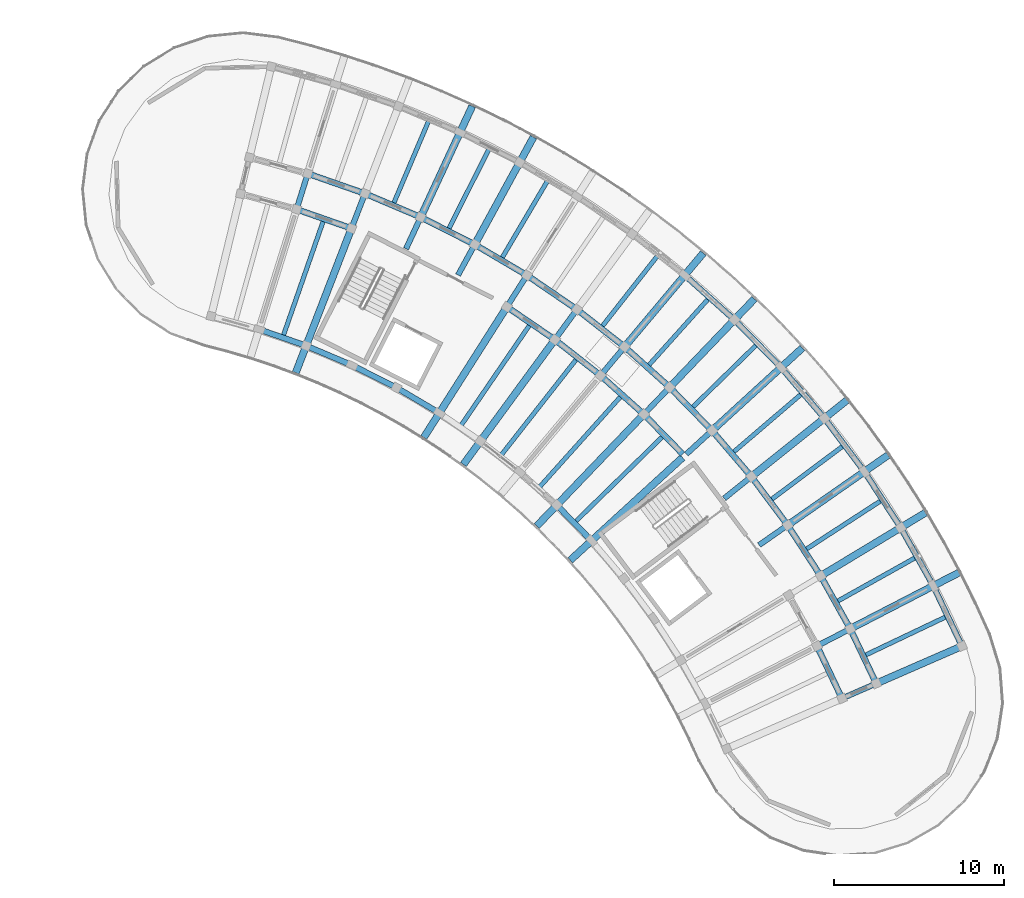
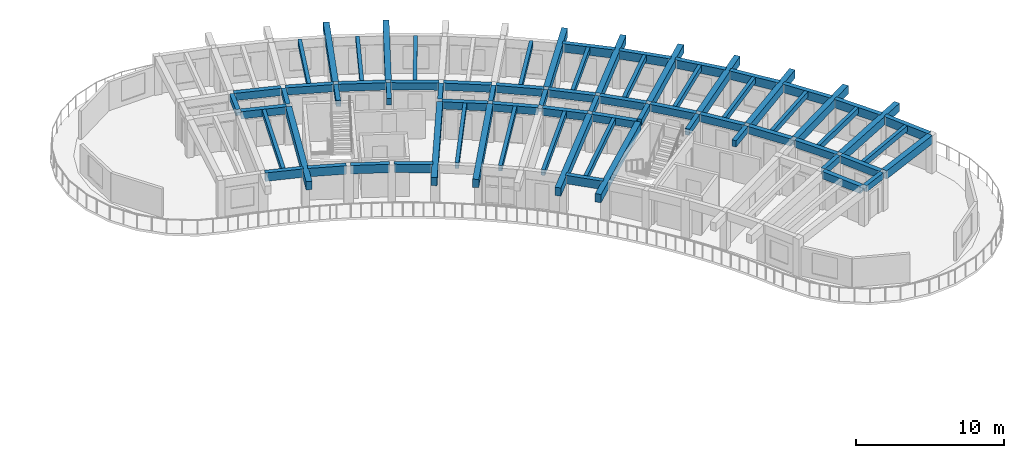
# One storey, part 10 of 41: 75 beams.
"""IFC4 building model written with IfcOpenShell, lengths in metres."""

import ifcopenshell
import ifcopenshell.guid

model = None  # the IFC model being written
_history = None  # IfcOwnerHistory: only IFC2X3 demands one
_inside = {}  # id of a spatial element -> (the spatial element, [elements in it])
_under = {}  # id of a project, library or spatial element -> (it, [spatial elements below it])
_declared = {}  # id of a project -> (the project, [libraries it declares])
_typed = {}  # id of a type object -> (the type object, [elements of that type])
_made_of = {}  # id of a material, layer set ... -> (it, [elements and type objects made of it])


def new_model(schema):
    """Start an empty IFC model of exactly this schema.

    Asked for "IFC4X3", IfcOpenShell would pick the latest addendum, in which some entities
    have other attributes; the version numbers below select the first issue.
    IFC2X3 requires an IfcOwnerHistory on every rooted entity: one is made here for all.
    """
    global model, _history
    if schema == "IFC4X3":
        model = ifcopenshell.file(schema_version=(4, 3, 0, 0))
    else:
        model = ifcopenshell.file(schema=schema)
    _inside.clear()
    _under.clear()
    _declared.clear()
    _typed.clear()
    _made_of.clear()
    _history = None
    if model.schema == "IFC2X3":
        org = make("IfcOrganization", Name="unknown")
        user = make(
            "IfcPersonAndOrganization",
            ThePerson=make("IfcPerson", FamilyName="unknown"),
            TheOrganization=org,
        )
        app = make(
            "IfcApplication",
            ApplicationDeveloper=org,
            Version="unknown",
            ApplicationFullName="unknown",
            ApplicationIdentifier="unknown",
        )
        _history = make(
            "IfcOwnerHistory",
            OwningUser=user,
            OwningApplication=app,
            ChangeAction="ADDED",
            CreationDate=0,
        )
    return model


def make(cls, **values):
    """One entity of the class cls with the attributes given. An attribute that is None is left unset."""
    return model.create_entity(
        cls, **{name: value for name, value in values.items() if value is not None}
    )


def rooted(cls, **values):
    """An entity with a GlobalId (a new one), such as an element, a storey or a relation."""
    return make(cls, GlobalId=ifcopenshell.guid.new(), OwnerHistory=_history, **values)


def si_unit(unit_type, name, prefix=None):
    """IfcSIUnit, for example si_unit("LENGTHUNIT", "METRE", prefix="MILLI")."""
    return make("IfcSIUnit", UnitType=unit_type, Prefix=prefix, Name=name)


def assignment(units):
    """IfcUnitAssignment: the units of a project."""
    return None if units is None else make("IfcUnitAssignment", Units=units)


def point(xyz):
    """IfcCartesianPoint."""
    return None if xyz is None else make("IfcCartesianPoint", Coordinates=xyz)


def direction(xyz):
    """IfcDirection."""
    return None if xyz is None else make("IfcDirection", DirectionRatios=xyz)


def frame(location, z_axis=None, x_axis=None):
    """IfcAxis2Placement3D, a coordinate frame: its origin and axes. An axis left out is left unset."""
    return make(
        "IfcAxis2Placement3D",
        Location=point(location),
        Axis=direction(z_axis),
        RefDirection=direction(x_axis),
    )


def frame_2d(location, x_axis=None):
    """IfcAxis2Placement2D, a coordinate frame in the plane: its origin and x axis."""
    return make(
        "IfcAxis2Placement2D", Location=point(location), RefDirection=direction(x_axis)
    )


def origin():
    """The frame at (0, 0, 0) with its axes left unset."""
    return frame((0.0, 0.0, 0.0))


def origin_2d():
    """The frame at (0, 0) in the plane with its x axis left unset."""
    return frame_2d((0.0, 0.0))


def place(relative_to, where):
    """IfcLocalPlacement: puts the frame where relative to a parent placement (None: the world)."""
    return make(
        "IfcLocalPlacement", PlacementRelTo=relative_to, RelativePlacement=where
    )


def context(
    kind, dimensions, precision=None, world=None, true_north=None, identifier=None
):
    """IfcGeometricRepresentationContext, for example the 3D "Model" context."""
    return make(
        "IfcGeometricRepresentationContext",
        ContextIdentifier=identifier,
        ContextType=kind,
        CoordinateSpaceDimension=dimensions,
        Precision=precision,
        WorldCoordinateSystem=world,
        TrueNorth=true_north,
    )


def subcontext(parent, identifier, kind, view, scale=None):
    """IfcGeometricRepresentationSubContext, for example "Body" below "Model"."""
    return make(
        "IfcGeometricRepresentationSubContext",
        ContextIdentifier=identifier,
        ContextType=kind,
        ParentContext=parent,
        TargetScale=scale,
        TargetView=view,
    )


def project(units=None, contexts=None):
    """IfcProject with its units and contexts."""
    return rooted(
        "IfcProject",
        Name="project",
        RepresentationContexts=contexts,
        UnitsInContext=assignment(units),
    )


def spatial(cls, under=None, at=None, **own):
    """A site, building, storey or space (cls), placed at a placement, below another one or the project."""
    s = rooted(cls, ObjectPlacement=at, **own)
    if under is not None:
        _under.setdefault(under.id(), (under, []))[1].append(s)
    return s


def profile(cls, at=None, kind="AREA", **sizes):
    """A parametric profile (cls). Its sizes go by their IFC names, for example OverallWidth=200.0."""
    return make(cls, ProfileType=kind, Position=at, **sizes)


def rectangle(**sizes):
    """IfcRectangleProfileDef."""
    return profile("IfcRectangleProfileDef", **sizes)


def extrude(swept, where, along, depth):
    """IfcExtrudedAreaSolid: the profile swept, set in the frame where, extruded along a direction by depth."""
    return make(
        "IfcExtrudedAreaSolid",
        SweptArea=swept,
        Position=where,
        ExtrudedDirection=direction(along),
        Depth=depth,
    )


def shape(context_of_items, identifier, shape_type, items):
    """IfcShapeRepresentation: the items that make up one representation, for example the "Body"."""
    return make(
        "IfcShapeRepresentation",
        ContextOfItems=context_of_items,
        RepresentationIdentifier=identifier,
        RepresentationType=shape_type,
        Items=items,
    )


def material(Name=None, Category=None):
    """IfcMaterial."""
    return make("IfcMaterial", Name=Name, Category=Category)


def material_profile(
    of_material, cross_section, Name=None, Category=None, Priority=None
):
    """IfcMaterialProfile: a cross section and its material."""
    return make(
        "IfcMaterialProfile",
        Name=Name,
        Material=of_material,
        Profile=cross_section,
        Priority=Priority,
        Category=Category,
    )


def profile_set(profiles, Name=None, composite=None):
    """IfcMaterialProfileSet."""
    return make(
        "IfcMaterialProfileSet",
        Name=Name,
        MaterialProfiles=profiles,
        CompositeProfile=composite,
    )


def made_of(thing, what):
    """Note that an element or type object is made of a material, layer set ...; save() writes the relation."""
    if what is not None:
        _made_of.setdefault(what.id(), (what, []))[1].append(thing)
    return thing


def type_object(cls, material=None, **own):
    """A type object (cls), such as IfcWallType, which elements share."""
    return made_of(rooted(cls, **own), material)


def element(
    cls,
    number,
    at=None,
    inside=None,
    cuts=None,
    type_object=None,
    material=None,
    context=None,
    identifier="Body",
    shape_type=None,
    held_by="IfcProductDefinitionShape",
    body=None,
    shapes=None,
    **own,
):
    """One element of the class cls, such as IfcWall. Its Tag is "e" and its number.

    at: its placement. inside: the storey or other place that contains it. cuts: it is an
    opening in that element (IfcRelVoidsElement). A single representation is given by context,
    identifier, shape_type and body (its items); several are given by shapes. held_by: the class
    of the entity that holds the representations. save() writes the other relations.
    """
    e = rooted(cls, Tag="e%d" % number, ObjectPlacement=at, **own)
    if body is not None:
        shapes = [shape(context, identifier, shape_type, body)]
    if shapes is not None:
        e.Representation = make(held_by, Representations=shapes)
    if inside is not None:
        _inside.setdefault(inside.id(), (inside, []))[1].append(e)
    if cuts is not None:
        rooted(
            "IfcRelVoidsElement", RelatingBuildingElement=cuts, RelatedOpeningElement=e
        )
    if type_object is not None:
        _typed.setdefault(type_object.id(), (type_object, []))[1].append(e)
    return made_of(e, material)


def aggregate(whole, parts):
    """IfcRelAggregates: a whole, such as a stair, and the parts it consists of."""
    return rooted("IfcRelAggregates", RelatingObject=whole, RelatedObjects=parts)


def save(model, path):
    """Write the relations noted so far, then the file.

    IfcRelAggregates (storeys below a building ...), IfcRelContainedInSpatialStructure (elements
    in a storey), IfcRelDefinesByType, IfcRelAssociatesMaterial and IfcRelDeclares: one each for
    every whole, place, type object, material and project.
    """
    for whole, parts in _under.values():
        aggregate(whole, parts)
    for where, things in _inside.values():
        rooted(
            "IfcRelContainedInSpatialStructure",
            RelatedElements=things,
            RelatingStructure=where,
        )
    for kind, things in _typed.values():
        rooted("IfcRelDefinesByType", RelatedObjects=things, RelatingType=kind)
    for what, things in _made_of.values():
        rooted("IfcRelAssociatesMaterial", RelatedObjects=things, RelatingMaterial=what)
    for by, libraries in _declared.values():
        rooted("IfcRelDeclares", RelatingContext=by, RelatedDefinitions=libraries)
    model.write(path)


model = new_model("IFC4")

# Units and contexts
model_context = context("Model", 3, precision=1e-05, world=origin(), true_north=direction((0.0, 1.0)))
body_context = subcontext(model_context, "Body", "Model", "MODEL_VIEW")
ifc_project = project(units=[si_unit("LENGTHUNIT", "METRE"), si_unit("AREAUNIT", "SQUARE_METRE"), si_unit("VOLUMEUNIT", "CUBIC_METRE"), si_unit("PLANEANGLEUNIT", "RADIAN"), si_unit("MASSUNIT", "GRAM", prefix="KILO")], contexts=[model_context])

# Site, building, storey
site_placement = place(None, origin())
site = spatial("IfcSite", under=ifc_project, at=site_placement, CompositionType="ELEMENT")
building_placement = place(site_placement, origin())
building = spatial("IfcBuilding", under=site, at=building_placement, Name="Tanwirah Colonnade Gardens", CompositionType="ELEMENT")
storey_placement = place(building_placement, frame((0.0, 0.0, 35.719970703125)))
storey = spatial("IfcBuildingStorey", under=building, at=storey_placement, Name="L10", CompositionType="ELEMENT", Elevation=35.719970703125)

# Beams
ifc_material_1 = material(Name="Precast concrete C40/50", Category="concrete")
ifc_material_profile_1 = material_profile(ifc_material_1, rectangle(XDim=0.320068359375, YDim=0.52001953125, at=origin_2d()), Name="PC-BM 320x520")
ifc_profile_set_1 = profile_set([ifc_material_profile_1], Name="Precast concrete C40/50")
beam_type_1 = type_object("IfcBeamType", Name="BM-PC320", PredefinedType="BEAM", material=ifc_profile_set_1)
beam_1_placement = place(storey_placement, frame((168.6669921875, 80.981201171875, 2.85498046875), z_axis=(0.916681481826, 0.399618644306, 0.0), x_axis=(-0.399618644306, 0.916681481826, 0.0)))
element("IfcBeam", 1, at=beam_1_placement, inside=storey, type_object=beam_type_1, Name="Block B L10 Corridor Tie Beam 2", PredefinedType="BEAM", context=body_context, shape_type="SweptSolid", body=[
    extrude(rectangle(XDim=0.320068359375, YDim=0.52001953125, at=origin_2d()), origin(), (0.0, 0.0, 1.0), 1.89990234375),
])
beam_2_placement = place(storey_placement, frame((167.194091796875, 84.07666015625, 2.85498046875), z_axis=(0.888385730697, 0.459097803844, 0.0), x_axis=(-0.459097803844, 0.888385730697, 0.0)))
element("IfcBeam", 2, at=beam_2_placement, inside=storey, type_object=beam_type_1, Name="Block B L10 Corridor Tie Beam 3", PredefinedType="BEAM", context=body_context, shape_type="SweptSolid", body=[
    extrude(rectangle(XDim=0.320068359375, YDim=0.52001953125, at=origin_2d()), origin(), (0.0, 0.0, 1.0), 1.900146484375),
])
for number, where, z_axis, x_axis, name in (
    (3, (163.653564453125, 89.943359375, 2.85498046875), (0.820305001782, 0.571926309983, 0.0), (-0.571926309983, 0.820305001782, 0.0), "Block B L10 Corridor Tie Beam 5"),
    (4, (161.601318359375, 92.68896484375, 2.85498046875), (0.78073089418, 0.624867402633, 0.0), (-0.624867402633, 0.78073089418, 0.0), "Block B L10 Corridor Tie Beam 6"),
    (5, (159.37255859375, 95.29345703125, 2.85498046875), (0.737948361517, 0.674857181732, 0.0), (-0.674857181732, 0.737948361517, 0.0), "Block B L10 Corridor Tie Beam 7"),
):
    element("IfcBeam", number, at=place(storey_placement, frame(where, z_axis=z_axis, x_axis=x_axis)), inside=storey, type_object=beam_type_1, Name=name, PredefinedType="BEAM", context=body_context, shape_type="SweptSolid", body=[
        extrude(rectangle(XDim=0.320068359375, YDim=0.52001953125, at=origin_2d()), origin(), (0.0, 0.0, 1.0), 1.89990234375),
    ])
beam_3_placement = place(storey_placement, frame((156.976806640625, 97.74560546875, 2.85498046875), z_axis=(0.691913735329, 0.721980181766, 0.0), x_axis=(-0.721980181766, 0.691913735329, 0.0)))
element("IfcBeam", 6, at=beam_3_placement, inside=storey, type_object=beam_type_1, Name="Block B L10 Corridor Tie Beam 8", PredefinedType="BEAM", context=body_context, shape_type="SweptSolid", body=[
    extrude(rectangle(XDim=0.320068359375, YDim=0.52001953125, at=origin_2d()), origin(), (0.0, 0.0, 1.0), 1.900146484375),
])
beam_4_placement = place(storey_placement, frame((154.425048828125, 100.034423828125, 2.85498046875), z_axis=(0.642797194343, 0.766036400535, 0.0), x_axis=(-0.766036400535, 0.642797194343, 0.0)))
element("IfcBeam", 7, at=beam_4_placement, inside=storey, type_object=beam_type_1, Name="Block B L10 Corridor Tie Beam 9", PredefinedType="BEAM", context=body_context, shape_type="SweptSolid", body=[
    extrude(rectangle(XDim=0.320068359375, YDim=0.52001953125, at=origin_2d()), origin(), (0.0, 0.0, 1.0), 1.89990234375),
])
beam_5_placement = place(storey_placement, frame((151.727783203125, 102.14990234375, 2.85498046875), z_axis=(0.590895676149, 0.806747977939, 0.0), x_axis=(-0.806747977939, 0.590895676149, 0.0)))
element("IfcBeam", 8, at=beam_5_placement, inside=storey, type_object=beam_type_1, Name="Block B L10 Corridor Tie Beam 10", PredefinedType="BEAM", context=body_context, shape_type="SweptSolid", body=[
    extrude(rectangle(XDim=0.320068359375, YDim=0.52001953125, at=origin_2d()), origin(), (0.0, 0.0, 1.0), 1.900146484375),
])
for number, where, z_axis, x_axis, name in (
    (9, (148.89697265625, 104.08349609375, 2.85498046875), (0.536509579595, 0.843894229749, 0.0), (-0.843894229749, 0.536509579595, 0.0), "Block B L10 Corridor Tie Beam 11"),
    (10, (145.945068359375, 105.826171875, 2.85498046875), (0.479707235792, 0.877428611301, 0.0), (-0.877428611301, 0.479707235792, 0.0), "Block B L10 Corridor Tie Beam 12"),
    (11, (142.884765625, 107.37060546875, 2.85498046875), (0.420858322681, 0.90712638162, 0.0), (-0.90712638162, 0.420858322681, 0.0), "Block B L10 Corridor Tie Beam 13"),
    (12, (139.729248046875, 108.7099609375, 2.85498046875), (0.360175656082, 0.932884503444, 0.0), (-0.932884503444, 0.360175656082, 0.0), "Block B L10 Corridor Tie Beam 14"),
    (13, (136.492431640625, 109.838623046875, 2.85498046875), (0.297857918398, 0.954610213882, 0.0), (-0.954610213882, 0.297857918398, 0.0), "Block B L10 Corridor Tie Beam 15"),
):
    element("IfcBeam", number, at=place(storey_placement, frame(where, z_axis=z_axis, x_axis=x_axis)), inside=storey, type_object=beam_type_1, Name=name, PredefinedType="BEAM", context=body_context, shape_type="SweptSolid", body=[
        extrude(rectangle(XDim=0.320068359375, YDim=0.52001953125, at=origin_2d()), origin(), (0.0, 0.0, 1.0), 1.89990234375),
    ])
ifc_material_profile_2 = material_profile(ifc_material_1, rectangle(XDim=0.35009765625, YDim=0.60009765625, at=origin_2d()), Name="PC-BM 350x600")
ifc_profile_set_2 = profile_set([ifc_material_profile_2], Name="Precast concrete C40/50")
beam_type_2 = type_object("IfcBeamType", Name="BM-PC350B", PredefinedType="BEAM", material=ifc_profile_set_2)
beam_6_placement = place(storey_placement, frame((168.465087890625, 81.056640625, 2.81494140625), z_axis=(-0.429620507728, 0.903009534468, 0.0), x_axis=(-0.903009534468, -0.429620507728, 0.0)))
element("IfcBeam", 14, at=beam_6_placement, inside=storey, type_object=beam_type_2, Name="Block B L10 Circumferential Beam 2-R1", PredefinedType="BEAM", context=body_context, shape_type="SweptSolid", body=[
    extrude(rectangle(XDim=0.35009765625, YDim=0.60009765625, at=origin_2d()), origin(), (0.0, 0.0, 1.0), 3.1181640625),
])
beam_7_placement = place(storey_placement, frame((170.481689453125, 81.935791015625, 2.81494140625), z_axis=(-0.4295908638, 0.90302363742, 0.0), x_axis=(-0.90302363742, -0.4295908638, 0.0)))
element("IfcBeam", 15, at=beam_7_placement, inside=storey, type_object=beam_type_2, Name="Block B L10 Circumferential Beam 2-R2", PredefinedType="BEAM", context=body_context, shape_type="SweptSolid", body=[
    extrude(rectangle(XDim=0.35009765625, YDim=0.60009765625, at=origin_2d()), origin(), (0.0, 0.0, 1.0), 3.26318359375),
])
for number, where, z_axis, x_axis, name in (
    (16, (168.942138671875, 85.14892578125, 2.81494140625), (-0.488213717102, 0.87272410671, 0.0), (-0.87272410671, -0.488213717102, 0.0), "Block B L10 Circumferential Beam 3-R2"),
    (17, (167.194091796875, 88.25341796875, 2.81494140625), (-0.544627998385, 0.838677735114, 0.0), (-0.838677735114, -0.544627998385, 0.0), "Block B L10 Circumferential Beam 4-R2"),
    (18, (165.245361328125, 91.236083984375, 2.81494140625), (-0.59871829396, 0.800959677186, 0.0), (-0.800959677186, -0.59871829396, 0.0), "Block B L10 Circumferential Beam 5-R2"),
):
    element("IfcBeam", number, at=place(storey_placement, frame(where, z_axis=z_axis, x_axis=x_axis)), inside=storey, type_object=beam_type_2, Name=name, PredefinedType="BEAM", context=body_context, shape_type="SweptSolid", body=[
        extrude(rectangle(XDim=0.35009765625, YDim=0.60009765625, at=origin_2d()), origin(), (0.0, 0.0, 1.0), 3.262939453125),
    ])
beam_8_placement = place(storey_placement, frame((163.1044921875, 94.083740234375, 2.81494140625), z_axis=(-0.650218192342, 0.759747525398, 0.0), x_axis=(-0.759747525398, -0.650218192342, 0.0)))
element("IfcBeam", 19, at=beam_8_placement, inside=storey, type_object=beam_type_2, Name="Block B L10 Circumferential Beam 6-R2", PredefinedType="BEAM", context=body_context, shape_type="SweptSolid", body=[
    extrude(rectangle(XDim=0.35009765625, YDim=0.60009765625, at=origin_2d()), origin(), (0.0, 0.0, 1.0), 3.26318359375),
])
beam_9_placement = place(storey_placement, frame((159.156982421875, 95.299560546875, 2.81494140625), z_axis=(-0.698837366631, 0.715280598787, 0.0), x_axis=(-0.715280598787, -0.698837366631, 0.0)))
element("IfcBeam", 20, at=beam_9_placement, inside=storey, type_object=beam_type_2, Name="Block B L10 Circumferential Beam 7-R1", PredefinedType="BEAM", context=body_context, shape_type="SweptSolid", body=[
    extrude(rectangle(XDim=0.35009765625, YDim=0.60009765625, at=origin_2d()), origin(), (0.0, 0.0, 1.0), 3.117919921875),
])
beam_10_placement = place(storey_placement, frame((160.780517578125, 96.7841796875, 2.81494140625), z_axis=(-0.698829447339, 0.71528833594, 0.0), x_axis=(-0.71528833594, -0.698829447339, 0.0)))
element("IfcBeam", 21, at=beam_10_placement, inside=storey, type_object=beam_type_2, Name="Block B L10 Circumferential Beam 7-R2", PredefinedType="BEAM", context=body_context, shape_type="SweptSolid", body=[
    extrude(rectangle(XDim=0.35009765625, YDim=0.60009765625, at=origin_2d()), origin(), (0.0, 0.0, 1.0), 3.263427734375),
])
beam_11_placement = place(storey_placement, frame((156.761474609375, 97.7373046875, 2.81494140625), z_axis=(-0.744429866059, 0.667700662363, 0.0), x_axis=(-0.667700662363, -0.744429866059, 0.0)))
element("IfcBeam", 22, at=beam_11_placement, inside=storey, type_object=beam_type_2, Name="Block B L10 Circumferential Beam 8-R1", PredefinedType="BEAM", context=body_context, shape_type="SweptSolid", body=[
    extrude(rectangle(XDim=0.35009765625, YDim=0.60009765625, at=origin_2d()), origin(), (0.0, 0.0, 1.0), 3.1181640625),
])
beam_12_placement = place(storey_placement, frame((158.283447265625, 99.32568359375, 2.81494140625), z_axis=(-0.744409136578, 0.667723773262, 0.0), x_axis=(-0.667723773262, -0.744409136578, 0.0)))
element("IfcBeam", 23, at=beam_12_placement, inside=storey, type_object=beam_type_2, Name="Block B L10 Circumferential Beam 8-R2", PredefinedType="BEAM", context=body_context, shape_type="SweptSolid", body=[
    extrude(rectangle(XDim=0.35009765625, YDim=0.60009765625, at=origin_2d()), origin(), (0.0, 0.0, 1.0), 3.26318359375),
])
beam_13_placement = place(storey_placement, frame((154.21044921875, 100.011962890625, 2.81494140625), z_axis=(-0.78679899272, 0.617209320292, 0.0), x_axis=(-0.617209320292, -0.78679899272, 0.0)))
element("IfcBeam", 24, at=beam_13_placement, inside=storey, type_object=beam_type_2, Name="Block B L10 Circumferential Beam 9-R1", PredefinedType="BEAM", context=body_context, shape_type="SweptSolid", body=[
    extrude(rectangle(XDim=0.35009765625, YDim=0.60009765625, at=origin_2d()), origin(), (0.0, 0.0, 1.0), 3.1181640625),
])
beam_14_placement = place(storey_placement, frame((155.624755859375, 101.697265625, 2.81494140625), z_axis=(-0.786839882256, 0.617157192044, 0.0), x_axis=(-0.617157192044, -0.786839882256, 0.0)))
element("IfcBeam", 25, at=beam_14_placement, inside=storey, type_object=beam_type_2, Name="Block B L10 Circumferential Beam 9-R2", PredefinedType="BEAM", context=body_context, shape_type="SweptSolid", body=[
    extrude(rectangle(XDim=0.35009765625, YDim=0.60009765625, at=origin_2d()), origin(), (0.0, 0.0, 1.0), 3.26318359375),
])
beam_15_placement = place(storey_placement, frame((151.515380859375, 102.113525390625, 2.81494140625), z_axis=(-0.825758291455, 0.564024152047, 0.0), x_axis=(-0.564024152047, -0.825758291455, 0.0)))
element("IfcBeam", 26, at=beam_15_placement, inside=storey, type_object=beam_type_2, Name="Block B L10 Circumferential Beam 10-R1", PredefinedType="BEAM", context=body_context, shape_type="SweptSolid", body=[
    extrude(rectangle(XDim=0.35009765625, YDim=0.60009765625, at=origin_2d()), origin(), (0.0, 0.0, 1.0), 3.118408203125),
])
for number, where, z_axis, x_axis, name in (
    (27, (152.815185546875, 103.888427734375, 2.81494140625), (-0.825782284145, 0.563989024, 0.0), (-0.563989024, -0.825782284145, 0.0), "Block B L10 Circumferential Beam 10-R2"),
    (28, (149.86767578125, 105.8896484375, 2.81494140625), (-0.861134978964, 0.508376384193, 0.0), (-0.508376384193, -0.861134978964, 0.0), "Block B L10 Circumferential Beam 11-R2"),
    (29, (146.794677734375, 107.6923828125, 2.81494140625), (-0.89276014323, 0.450532270387, 0.0), (-0.450532270387, -0.89276014323, 0.0), "Block B L10 Circumferential Beam 12-R2"),
):
    element("IfcBeam", number, at=place(storey_placement, frame(where, z_axis=z_axis, x_axis=x_axis)), inside=storey, type_object=beam_type_2, Name=name, PredefinedType="BEAM", context=body_context, shape_type="SweptSolid", body=[
        extrude(rectangle(XDim=0.35009765625, YDim=0.60009765625, at=origin_2d()), origin(), (0.0, 0.0, 1.0), 3.26318359375),
    ])
beam_16_placement = place(storey_placement, frame((143.609375, 109.288818359375, 2.81494140625), z_axis=(-0.920513294115, 0.390711242938, 0.0), x_axis=(-0.390711242938, -0.920513294115, 0.0)))
element("IfcBeam", 30, at=beam_16_placement, inside=storey, type_object=beam_type_2, Name="Block B L10 Circumferential Beam 13-R2", PredefinedType="BEAM", context=body_context, shape_type="SweptSolid", body=[
    extrude(rectangle(XDim=0.35009765625, YDim=0.60009765625, at=origin_2d()), origin(), (0.0, 0.0, 1.0), 3.262939453125),
])
beam_17_placement = place(storey_placement, frame((139.53369140625, 108.619384765625, 2.81494140625), z_axis=(-0.944248304077, 0.329234172358, 0.0), x_axis=(-0.329234172358, -0.944248304077, 0.0)))
element("IfcBeam", 31, at=beam_17_placement, inside=storey, type_object=beam_type_2, Name="Block B L10 Circumferential Beam 14-R1", PredefinedType="BEAM", context=body_context, shape_type="SweptSolid", body=[
    extrude(rectangle(XDim=0.35009765625, YDim=0.60009765625, at=origin_2d()), origin(), (0.0, 0.0, 1.0), 3.1181640625),
])
beam_18_placement = place(storey_placement, frame((140.325927734375, 110.671630859375, 2.81494140625), z_axis=(-0.944231021702, 0.329283734272, 0.0), x_axis=(-0.329283734272, -0.944231021702, 0.0)))
element("IfcBeam", 32, at=beam_18_placement, inside=storey, type_object=beam_type_2, Name="Block B L10 Circumferential Beam 14-R2", PredefinedType="BEAM", context=body_context, shape_type="SweptSolid", body=[
    extrude(rectangle(XDim=0.35009765625, YDim=0.60009765625, at=origin_2d()), origin(), (0.0, 0.0, 1.0), 3.262939453125),
])
ifc_material_2 = material(Name="Precast concrete C45/55", Category="concrete")
ifc_material_profile_3 = material_profile(ifc_material_2, rectangle(XDim=0.419921875, YDim=0.679931640625, at=origin_2d()), Name="PC-BM 420x680")
ifc_profile_set_3 = profile_set([ifc_material_profile_3], Name="Precast concrete C45/55")
beam_type_3 = type_object("IfcBeamType", Name="BM-PC420", PredefinedType="BEAM", material=ifc_profile_set_3)
beam_19_placement = place(storey_placement, frame((170.68359375, 81.8603515625, 2.775146484375), z_axis=(0.916677002552, 0.399628919115, 0.0), x_axis=(-0.399628919115, 0.916677002552, 0.0)))
element("IfcBeam", 33, at=beam_19_placement, inside=storey, type_object=beam_type_3, Name="Block B L10 Outer Radial Precast Girder 2", PredefinedType="BEAM", context=body_context, shape_type="SweptSolid", body=[
    extrude(rectangle(XDim=0.419921875, YDim=0.679931640625, at=origin_2d()), origin(), (0.0, 0.0, 1.0), 5.2001953125),
])
beam_20_placement = place(storey_placement, frame((169.148681640625, 85.0869140625, 2.775146484375), z_axis=(0.888348690665, 0.459169471758, 0.0), x_axis=(-0.459169471758, 0.888348690665, 0.0)))
element("IfcBeam", 34, at=beam_20_placement, inside=storey, type_object=beam_type_3, Name="Block B L10 Outer Radial Precast Girder 3", PredefinedType="BEAM", context=body_context, shape_type="SweptSolid", body=[
    extrude(rectangle(XDim=0.419921875, YDim=0.679931640625, at=origin_2d()), origin(), (0.0, 0.0, 1.0), 7.0498046875),
])
for number, where, z_axis, x_axis, name in (
    (35, (167.404296875, 88.205078125, 2.775146484375), (0.856157813984, 0.516714425533, 0.0), (-0.516714425533, 0.856157813984, 0.0), "Block B L10 Outer Radial Precast Girder 4"),
    (36, (165.458251953125, 91.20166015625, 2.775146484375), (0.820270158139, 0.571976282433, 0.0), (-0.571976282433, 0.820270158139, 0.0), "Block B L10 Outer Radial Precast Girder 5"),
    (37, (163.319091796875, 94.0634765625, 2.775146484375), (0.780794476885, 0.624787951921, 0.0), (-0.624787951921, 0.780794476885, 0.0), "Block B L10 Outer Radial Precast Girder 6"),
):
    element("IfcBeam", number, at=place(storey_placement, frame(where, z_axis=z_axis, x_axis=x_axis)), inside=storey, type_object=beam_type_3, Name=name, PredefinedType="BEAM", context=body_context, shape_type="SweptSolid", body=[
        extrude(rectangle(XDim=0.419921875, YDim=0.679931640625, at=origin_2d()), origin(), (0.0, 0.0, 1.0), 7.050048828125),
    ])
beam_21_placement = place(storey_placement, frame((159.151123046875, 95.091064453125, 2.775146484375), z_axis=(-0.737937205818, -0.674869380154, 0.0), x_axis=(0.674869380154, -0.737937205818, 0.0)))
element("IfcBeam", 38, at=beam_21_placement, inside=storey, type_object=beam_type_3, Name="Block B L10 Inner Radial Precast Girder 7", PredefinedType="BEAM", context=body_context, shape_type="SweptSolid", body=[
    extrude(rectangle(XDim=0.419921875, YDim=0.679931640625, at=origin_2d()), origin(), (0.0, 0.0, 1.0), 8.949951171875),
])
beam_22_placement = place(storey_placement, frame((160.995849609375, 96.7783203125, 2.775146484375), z_axis=(0.737934199263, 0.674872667663, 0.0), x_axis=(-0.674872667663, 0.737934199263, 0.0)))
element("IfcBeam", 39, at=beam_22_placement, inside=storey, type_object=beam_type_3, Name="Block B L10 Outer Radial Precast Girder 7", PredefinedType="BEAM", context=body_context, shape_type="SweptSolid", body=[
    extrude(rectangle(XDim=0.419921875, YDim=0.679931640625, at=origin_2d()), origin(), (0.0, 0.0, 1.0), 7.050048828125),
])
beam_23_placement = place(storey_placement, frame((156.769287109375, 97.52880859375, 2.775146484375), z_axis=(-0.691860926595, -0.722030787606, 0.0), x_axis=(0.722030787606, -0.691860926595, 0.0)))
element("IfcBeam", 40, at=beam_23_placement, inside=storey, type_object=beam_type_3, Name="Block B L10 Inner Radial Precast Girder 8", PredefinedType="BEAM", context=body_context, shape_type="SweptSolid", body=[
    extrude(rectangle(XDim=0.419921875, YDim=0.679931640625, at=origin_2d()), origin(), (0.0, 0.0, 1.0), 8.949951171875),
])
beam_24_placement = place(storey_placement, frame((158.4990234375, 99.333984375, 2.775146484375), z_axis=(0.691864746793, 0.722027127015, 0.0), x_axis=(-0.722027127015, 0.691864746793, 0.0)))
element("IfcBeam", 41, at=beam_24_placement, inside=storey, type_object=beam_type_3, Name="Block B L10 Outer Radial Precast Girder 8", PredefinedType="BEAM", context=body_context, shape_type="SweptSolid", body=[
    extrude(rectangle(XDim=0.419921875, YDim=0.679931640625, at=origin_2d()), origin(), (0.0, 0.0, 1.0), 7.050048828125),
])
beam_25_placement = place(storey_placement, frame((155.839111328125, 101.7197265625, 2.775146484375), z_axis=(0.642810291951, 0.766025409867, 0.0), x_axis=(-0.766025409867, 0.642810291951, 0.0)))
element("IfcBeam", 42, at=beam_25_placement, inside=storey, type_object=beam_type_3, Name="Block B L10 Outer Radial Precast Girder 9", PredefinedType="BEAM", context=body_context, shape_type="SweptSolid", body=[
    extrude(rectangle(XDim=0.419921875, YDim=0.679931640625, at=origin_2d()), origin(), (0.0, 0.0, 1.0), 7.0498046875),
])
for number, where, z_axis, x_axis, name in (
    (43, (151.550537109375, 101.907958984375, 2.775146484375), (-0.590927205009, -0.806724883947, 0.0), (0.806724883947, -0.590927205009, 0.0), "Block B L10 Inner Radial Precast Girder 10"),
    (44, (148.736083984375, 103.830322265625, 2.775146484375), (-0.536483588607, -0.843910753075, 0.0), (0.843910753075, -0.536483588607, 0.0), "Block B L10 Inner Radial Precast Girder 11"),
):
    element("IfcBeam", number, at=place(storey_placement, frame(where, z_axis=z_axis, x_axis=x_axis)), inside=storey, type_object=beam_type_3, Name=name, PredefinedType="BEAM", context=body_context, shape_type="SweptSolid", body=[
        extrude(rectangle(XDim=0.419921875, YDim=0.679931640625, at=origin_2d()), origin(), (0.0, 0.0, 1.0), 8.949951171875),
    ])
for number, where, z_axis, x_axis, name in (
    (45, (147.00048828125, 107.75634765625, 2.775146484375), (0.479686549155, 0.877439920769, 0.0), (-0.877439920769, 0.479686549155, 0.0), "Block B L10 Outer Radial Precast Girder 12"),
    (46, (143.810546875, 109.3662109375, 2.775146484375), (0.420855908645, 0.9071275016, 0.0), (-0.9071275016, 0.420855908645, 0.0), "Block B L10 Outer Radial Precast Girder 13"),
):
    element("IfcBeam", number, at=place(storey_placement, frame(where, z_axis=z_axis, x_axis=x_axis)), inside=storey, type_object=beam_type_3, Name=name, PredefinedType="BEAM", context=body_context, shape_type="SweptSolid", body=[
        extrude(rectangle(XDim=0.419921875, YDim=0.679931640625, at=origin_2d()), origin(), (0.0, 0.0, 1.0), 7.050048828125),
    ])
beam_26_placement = place(storey_placement, frame((139.62109375, 108.43017578125, 2.775146484375), z_axis=(-0.360155980892, -0.932892099563, 0.0), x_axis=(0.932892099563, -0.360155980892, 0.0)))
element("IfcBeam", 47, at=beam_26_placement, inside=storey, type_object=beam_type_3, Name="Block B L10 Inner Radial Precast Girder 14", PredefinedType="BEAM", context=body_context, shape_type="SweptSolid", body=[
    extrude(rectangle(XDim=0.419921875, YDim=0.679931640625, at=origin_2d()), origin(), (0.0, 0.0, 1.0), 8.949951171875),
])
ifc_material_profile_4 = material_profile(ifc_material_1, rectangle(XDim=0.260009765625, YDim=0.4599609375, at=origin_2d()), Name="PC-JST 260x460")
ifc_profile_set_4 = profile_set([ifc_material_profile_4], Name="Precast concrete C40/50")
beam_type_4 = type_object("IfcBeamType", Name="JST-PC260", PredefinedType="JOIST", material=ifc_profile_set_4)
beam_27_placement = place(storey_placement, frame((169.91552734375, 83.473388671875, 2.885009765625), z_axis=(0.903018314862, 0.429602051931, 0.0), x_axis=(-0.429602051931, 0.903018314862, 0.0)))
element("IfcBeam", 48, at=beam_27_placement, inside=storey, type_object=beam_type_4, Name="Block B L10 Precast Floor Joist 2", PredefinedType="JOIST", context=body_context, shape_type="SweptSolid", body=[
    extrude(rectangle(XDim=0.260009765625, YDim=0.4599609375, at=origin_2d()), origin(), (0.0, 0.0, 1.0), 5.26025390625),
])
beam_28_placement = place(storey_placement, frame((168.27587890625, 86.645751953125, 2.885009765625), z_axis=(0.872737031138, 0.488190612855, 0.0), x_axis=(-0.488190612855, 0.872737031138, 0.0)))
element("IfcBeam", 49, at=beam_28_placement, inside=storey, type_object=beam_type_4, Name="Block B L10 Precast Floor Joist 3", PredefinedType="JOIST", context=body_context, shape_type="SweptSolid", body=[
    extrude(rectangle(XDim=0.260009765625, YDim=0.4599609375, at=origin_2d()), origin(), (0.0, 0.0, 1.0), 5.260009765625),
])
beam_29_placement = place(storey_placement, frame((166.4306640625, 89.703125, 2.885009765625), z_axis=(0.83868742622, 0.544613074669, 0.0), x_axis=(-0.544613074669, 0.83868742622, 0.0)))
element("IfcBeam", 50, at=beam_29_placement, inside=storey, type_object=beam_type_4, Name="Block B L10 Precast Floor Joist 4", PredefinedType="JOIST", context=body_context, shape_type="SweptSolid", body=[
    extrude(rectangle(XDim=0.260009765625, YDim=0.4599609375, at=origin_2d()), origin(), (0.0, 0.0, 1.0), 5.26025390625),
])
beam_30_placement = place(storey_placement, frame((164.38818359375, 92.63232421875, 2.885009765625), z_axis=(0.800973647215, 0.598699604533, 0.0), x_axis=(-0.598699604533, 0.800973647215, 0.0)))
element("IfcBeam", 51, at=beam_30_placement, inside=storey, type_object=beam_type_4, Name="Block B L10 Precast Floor Joist 5", PredefinedType="JOIST", context=body_context, shape_type="SweptSolid", body=[
    extrude(rectangle(XDim=0.260009765625, YDim=0.4599609375, at=origin_2d()), origin(), (0.0, 0.0, 1.0), 5.260009765625),
])
beam_31_placement = place(storey_placement, frame((162.156982421875, 95.42041015625, 2.885009765625), z_axis=(0.759770723643, 0.65019108537, 0.0), x_axis=(-0.65019108537, 0.759770723643, 0.0)))
element("IfcBeam", 52, at=beam_31_placement, inside=storey, type_object=beam_type_4, Name="Block B L10 Precast Floor Joist 6", PredefinedType="JOIST", context=body_context, shape_type="SweptSolid", body=[
    extrude(rectangle(XDim=0.260009765625, YDim=0.4599609375, at=origin_2d()), origin(), (0.0, 0.0, 1.0), 5.26025390625),
])
beam_32_placement = place(storey_placement, frame((159.7470703125, 98.0556640625, 2.885009765625), z_axis=(0.715297399369, 0.698820170327, 0.0), x_axis=(-0.698820170327, 0.715297399369, 0.0)))
element("IfcBeam", 53, at=beam_32_placement, inside=storey, type_object=beam_type_4, Name="Block B L10 Precast Floor Joist 7", PredefinedType="JOIST", context=body_context, shape_type="SweptSolid", body=[
    extrude(rectangle(XDim=0.260009765625, YDim=0.4599609375, at=origin_2d()), origin(), (0.0, 0.0, 1.0), 5.260009765625),
])
beam_33_placement = place(storey_placement, frame((152.88037109375, 91.346923828125, 2.885009765625), z_axis=(0.715276680509, 0.698841377081, 0.0), x_axis=(-0.698841377081, 0.715276680509, 0.0)))
element("IfcBeam", 54, at=beam_33_placement, inside=storey, type_object=beam_type_4, Name="Block B L10 Inner Precast Floor Joist 7", PredefinedType="JOIST", context=body_context, shape_type="SweptSolid", body=[
    extrude(rectangle(XDim=0.260009765625, YDim=0.4599609375, at=origin_2d()), origin(), (0.0, 0.0, 1.0), 7.159912109375),
])
beam_34_placement = place(storey_placement, frame((157.168701171875, 100.5263671875, 2.885009765625), z_axis=(0.667678987176, 0.744449306591, 0.0), x_axis=(-0.744449306591, 0.667678987176, 0.0)))
element("IfcBeam", 55, at=beam_34_placement, inside=storey, type_object=beam_type_4, Name="Block B L10 Precast Floor Joist 8", PredefinedType="JOIST", context=body_context, shape_type="SweptSolid", body=[
    extrude(rectangle(XDim=0.260009765625, YDim=0.4599609375, at=origin_2d()), origin(), (0.0, 0.0, 1.0), 5.260009765625),
])
beam_35_placement = place(storey_placement, frame((150.7587890625, 93.379638671875, 2.885009765625), z_axis=(0.667688404274, 0.744440860511, 0.0), x_axis=(-0.744440860511, 0.667688404274, 0.0)))
element("IfcBeam", 56, at=beam_35_placement, inside=storey, type_object=beam_type_4, Name="Block B L10 Inner Precast Floor Joist 8", PredefinedType="JOIST", context=body_context, shape_type="SweptSolid", body=[
    extrude(rectangle(XDim=0.260009765625, YDim=0.4599609375, at=origin_2d()), origin(), (0.0, 0.0, 1.0), 7.16015625),
])
beam_36_placement = place(storey_placement, frame((154.43310546875, 102.82177734375, 2.885009765625), z_axis=(0.617177687243, 0.786823806433, 0.0), x_axis=(-0.786823806433, 0.617177687243, 0.0)))
element("IfcBeam", 57, at=beam_36_placement, inside=storey, type_object=beam_type_4, Name="Block B L10 Precast Floor Joist 9", PredefinedType="JOIST", context=body_context, shape_type="SweptSolid", body=[
    extrude(rectangle(XDim=0.260009765625, YDim=0.4599609375, at=origin_2d()), origin(), (0.0, 0.0, 1.0), 5.260009765625),
])
for number, where, z_axis, x_axis, name in (
    (58, (148.508056640625, 95.268310546875, 2.885009765625), (0.617202438917, 0.786804390808, 0.0), (-0.786804390808, 0.617202438917, 0.0), "Block B L10 Inner Precast Floor Joist 9"),
    (59, (146.1376953125, 97.004638671875, 2.885009765625), (0.564021195806, 0.825760310672, 0.0), (-0.825760310672, 0.564021195806, 0.0), "Block B L10 Inner Precast Floor Joist 10"),
):
    element("IfcBeam", number, at=place(storey_placement, frame(where, z_axis=z_axis, x_axis=x_axis)), inside=storey, type_object=beam_type_4, Name=name, PredefinedType="JOIST", context=body_context, shape_type="SweptSolid", body=[
        extrude(rectangle(XDim=0.260009765625, YDim=0.4599609375, at=origin_2d()), origin(), (0.0, 0.0, 1.0), 7.159912109375),
    ])
for number, where, z_axis, x_axis, name in (
    (60, (148.53857421875, 106.84765625, 2.885009765625), (0.508360236823, 0.86114451146, 0.0), (-0.86114451146, 0.508360236823, 0.0), "Block B L10 Precast Floor Joist 11"),
    (61, (145.4052734375, 108.560791015625, 2.885009765625), (0.450533699488, 0.892759422031, 0.0), (-0.892759422031, 0.450533699488, 0.0), "Block B L10 Precast Floor Joist 12"),
):
    element("IfcBeam", number, at=place(storey_placement, frame(where, z_axis=z_axis, x_axis=x_axis)), inside=storey, type_object=beam_type_4, Name=name, PredefinedType="JOIST", context=body_context, shape_type="SweptSolid", body=[
        extrude(rectangle(XDim=0.260009765625, YDim=0.4599609375, at=origin_2d()), origin(), (0.0, 0.0, 1.0), 5.26025390625),
    ])
beam_37_placement = place(storey_placement, frame((142.166015625, 110.063720703125, 2.885009765625), z_axis=(0.390723870106, 0.92050793442, 0.0), x_axis=(-0.92050793442, 0.390723870106, 0.0)))
element("IfcBeam", 62, at=beam_37_placement, inside=storey, type_object=beam_type_4, Name="Block B L10 Precast Floor Joist 13", PredefinedType="JOIST", context=body_context, shape_type="SweptSolid", body=[
    extrude(rectangle(XDim=0.260009765625, YDim=0.4599609375, at=origin_2d()), origin(), (0.0, 0.0, 1.0), 5.260009765625),
])
beam_38_placement = place(storey_placement, frame((135.673828125, 102.28515625, 2.885009765625), z_axis=(0.329250558112, 0.944242590642, 0.0), x_axis=(-0.944242590642, 0.329250558112, 0.0)))
element("IfcBeam", 63, at=beam_38_placement, inside=storey, type_object=beam_type_4, Name="Block B L10 Inner Precast Floor Joist 14", PredefinedType="JOIST", context=body_context, shape_type="SweptSolid", body=[
    extrude(rectangle(XDim=0.260009765625, YDim=0.4599609375, at=origin_2d()), origin(), (0.0, 0.0, 1.0), 7.159912109375),
])
ifc_material_profile_5 = material_profile(ifc_material_1, rectangle(XDim=0.3349609375, YDim=0.695068359375, at=origin_2d()), Name="PC-SP 335x695")
ifc_profile_set_5 = profile_set([ifc_material_profile_5], Name="Precast concrete C40/50")
beam_type_5 = type_object("IfcBeamType", Name="SP-PC300", PredefinedType="SPANDREL", material=ifc_profile_set_5)
for number, where, z_axis, x_axis, name in (
    (64, (175.5234375, 84.1337890625, 2.767578125), (-0.429593766142, 0.903022256698, 0.0), (-0.903022256698, -0.429593766142, 0.0), "Block B L10 Circumferential Beam 2-R3"),
    (65, (173.828125, 87.67431640625, 2.767578125), (-0.488236312193, 0.872711466326, 0.0), (-0.872711466326, -0.488236312193, 0.0), "Block B L10 Circumferential Beam 3-R3"),
    (66, (171.903076171875, 91.09521484375, 2.767578125), (-0.544621436184, 0.838681996497, 0.0), (-0.838681996497, -0.544621436184, 0.0), "Block B L10 Circumferential Beam 4-R3"),
    (67, (169.7568359375, 94.382080078125, 2.767578125), (-0.598695554058, 0.800976674786, 0.0), (-0.800976674786, -0.598695554058, 0.0), "Block B L10 Circumferential Beam 5-R3"),
    (68, (167.398681640625, 97.52001953125, 2.767578125), (-0.650170105297, 0.759788677317, 0.0), (-0.759788677317, -0.650170105297, 0.0), "Block B L10 Circumferential Beam 6-R3"),
):
    element("IfcBeam", number, at=place(storey_placement, frame(where, z_axis=z_axis, x_axis=x_axis)), inside=storey, type_object=beam_type_5, Name=name, PredefinedType="SPANDREL", context=body_context, shape_type="SweptSolid", body=[
        extrude(rectangle(XDim=0.3349609375, YDim=0.695068359375, at=origin_2d()), origin(), (0.0, 0.0, 1.0), 3.625732421875),
    ])
beam_39_placement = place(storey_placement, frame((153.6962890625, 90.305419921875, 2.767578125), z_axis=(-0.698844462704, 0.715273665772, 0.0), x_axis=(-0.715273665772, -0.698844462704, 0.0)))
element("IfcBeam", 69, at=beam_39_placement, inside=storey, type_object=beam_type_5, Name="Block B L10 Circumferential Beam 7-R0", PredefinedType="SPANDREL", context=body_context, shape_type="SweptSolid", body=[
    extrude(rectangle(XDim=0.3349609375, YDim=0.695068359375, at=origin_2d()), origin(), (0.0, 0.0, 1.0), 2.630126953125),
])
beam_40_placement = place(storey_placement, frame((164.839111328125, 100.49609375, 2.767578125), z_axis=(-0.698844493997, 0.715273635199, 0.0), x_axis=(-0.715273635199, -0.698844493997, 0.0)))
element("IfcBeam", 70, at=beam_40_placement, inside=storey, type_object=beam_type_5, Name="Block B L10 Circumferential Beam 7-R3", PredefinedType="SPANDREL", context=body_context, shape_type="SweptSolid", body=[
    extrude(rectangle(XDim=0.3349609375, YDim=0.695068359375, at=origin_2d()), origin(), (0.0, 0.0, 1.0), 3.6259765625),
])
beam_41_placement = place(storey_placement, frame((162.0888671875, 103.296875, 2.767578125), z_axis=(-0.744444790955, 0.667684021989, 0.0), x_axis=(-0.667684021989, -0.744444790955, 0.0)))
element("IfcBeam", 71, at=beam_41_placement, inside=storey, type_object=beam_type_5, Name="Block B L10 Circumferential Beam 8-R3", PredefinedType="SPANDREL", context=body_context, shape_type="SweptSolid", body=[
    extrude(rectangle(XDim=0.3349609375, YDim=0.695068359375, at=origin_2d()), origin(), (0.0, 0.0, 1.0), 3.625732421875),
])
for number, where, z_axis, x_axis, name in (
    (72, (144.717529296875, 97.7880859375, 2.767578125), (-0.861148181788, 0.508354019363, 0.0), (-0.508354019363, -0.861148181788, 0.0), "Block B L10 Circumferential Beam 11-R0"),
    (73, (142.189453125, 99.26904296875, 2.767578125), (-0.892769015158, 0.450514689632, 0.0), (-0.450514689632, -0.892769015158, 0.0), "Block B L10 Circumferential Beam 12-R0"),
    (74, (139.569091796875, 100.580322265625, 2.767578125), (-0.920488719784, 0.390769134848, 0.0), (-0.390769134848, -0.920488719784, 0.0), "Block B L10 Circumferential Beam 13-R0"),
    (75, (136.8681640625, 101.716064453125, 2.767578125), (-0.944249847334, 0.32922974624, 0.0), (-0.32922974624, -0.944249847334, 0.0), "Block B L10 Circumferential Beam 14-R0"),
):
    element("IfcBeam", number, at=place(storey_placement, frame(where, z_axis=z_axis, x_axis=x_axis)), inside=storey, type_object=beam_type_5, Name=name, PredefinedType="SPANDREL", context=body_context, shape_type="SweptSolid", body=[
        extrude(rectangle(XDim=0.3349609375, YDim=0.695068359375, at=origin_2d()), origin(), (0.0, 0.0, 1.0), 2.63037109375),
    ])

save(model, "model.ifc")
